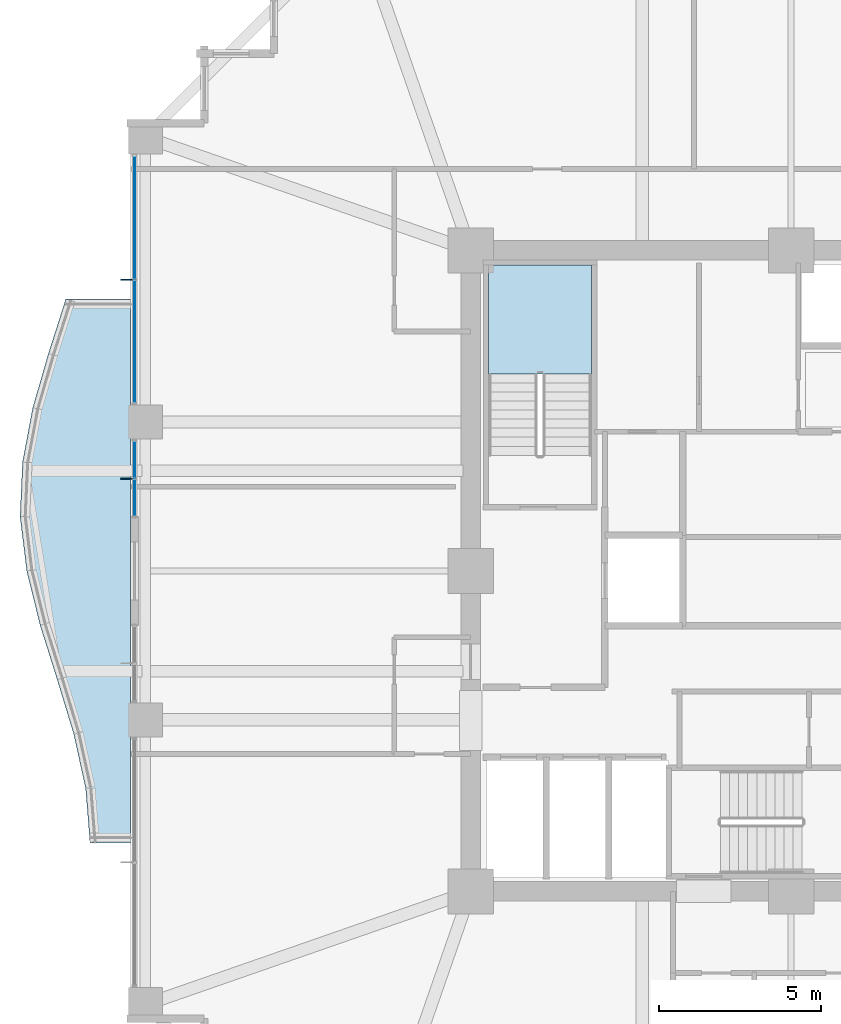
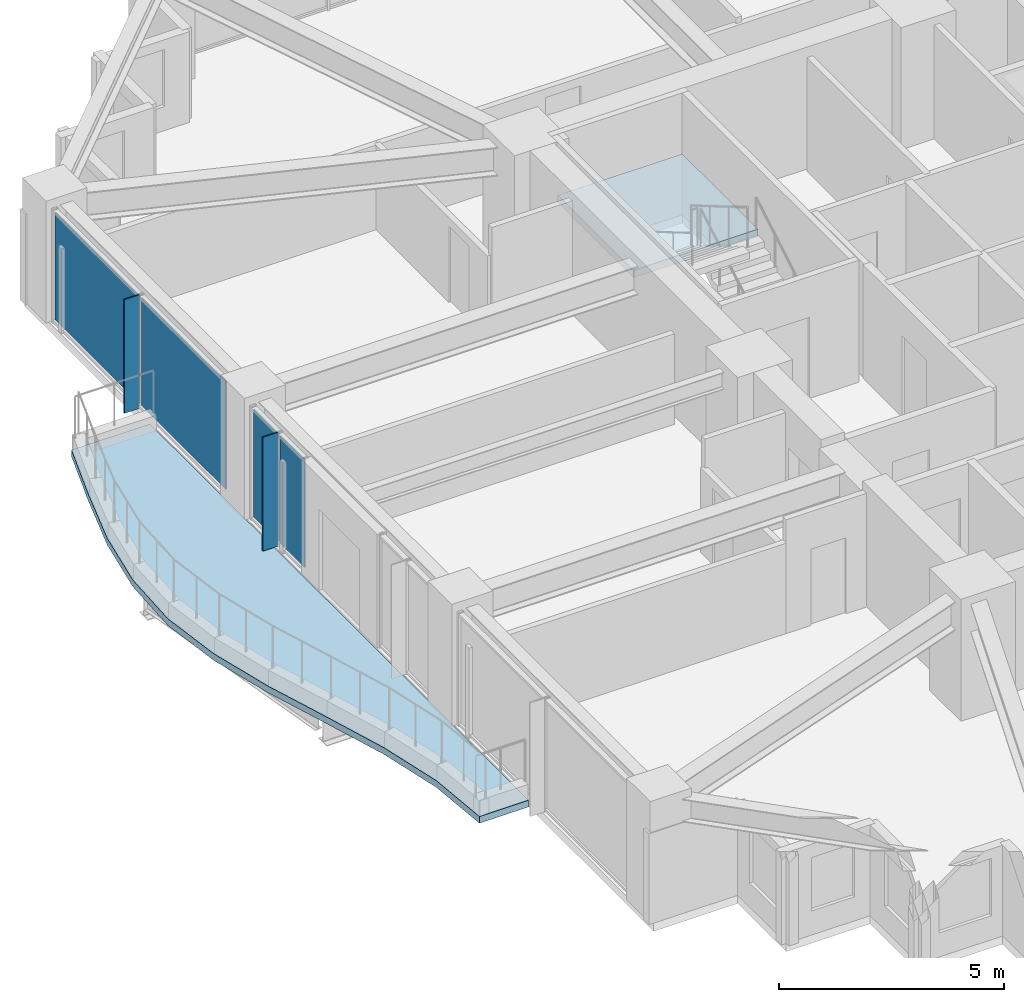
# One storey, part 26 of 36: 6 plates, 2 slabs, 3 elements without a shape of their own.
"""IFC4 building model written with IfcOpenShell, lengths in metres."""

from ifc_helpers import new_model, si_unit, direction, frame, origin, origin_2d, place, context, subcontext, project, spatial, polyline, rectangle, outline, extrude, material, layer, layer_set, type_object, element, aggregate, save


model = new_model("IFC4")

# Units and contexts
model_context = context("Model", 3, precision=1e-05, world=origin(), true_north=direction((0.0, 1.0)))
body_context = subcontext(model_context, "Body", "Model", "MODEL_VIEW")
ifc_project = project(units=[si_unit("LENGTHUNIT", "METRE"), si_unit("AREAUNIT", "SQUARE_METRE"), si_unit("VOLUMEUNIT", "CUBIC_METRE"), si_unit("PLANEANGLEUNIT", "RADIAN"), si_unit("MASSUNIT", "GRAM", prefix="KILO")], contexts=[model_context])

# Site, building, storey
site_placement = place(None, origin())
site = spatial("IfcSite", under=ifc_project, at=site_placement, CompositionType="ELEMENT")
building_placement = place(site_placement, origin())
building = spatial("IfcBuilding", under=site, at=building_placement, Name="Kolvaren Belvedere", CompositionType="ELEMENT")
storey_placement = place(building_placement, frame((0.0, 0.0, 88.699951171875)))
storey = spatial("IfcBuildingStorey", under=building, at=storey_placement, Name="L25", CompositionType="ELEMENT", Elevation=88.699951171875)

# Curtain wall, plates
ifc_material_1 = material(Name="Anodised pale-metal aluminium AA 6063-T6", Category="aluminium")
curtain_wall_type = type_object("IfcCurtainWallType", Name="CW-Z2-MID", PredefinedType="NOTDEFINED", material=ifc_material_1)
curtain_wall_1_placement = place(storey_placement, origin())
curtain_wall_1 = element("IfcCurtainWall", 1, at=curtain_wall_1_placement, inside=storey, type_object=curtain_wall_type, Name="L25 Unitised Curtain Wall FCW-L25-W2-B1", PredefinedType="NOTDEFINED")
ifc_material_2 = material(Name="Low-iron triple insulated glass", Category="glass")
ifc_layer_1 = layer(ifc_material_2, 0.028076171875)
ifc_layer_set_1 = layer_set([ifc_layer_1], Name="Low-iron triple insulated glass")
plate_type_1 = type_object("IfcPlateType", Name="CW-PNL-VIS28", PredefinedType="CURTAIN_PANEL", material=ifc_layer_set_1)
plate_1_placement = place(storey_placement, frame((-20.280029296875, 2.265625, 0.080078125), z_axis=(0.0, 0.0, 1.0), x_axis=(0.0, 1.0, 0.0)))
plate_1 = element("IfcPlate", 2, at=plate_1_placement, type_object=plate_type_1, Name="FCW-L25-W2-B1 Vision Glazing Panel 1", PredefinedType="CURTAIN_PANEL", context=body_context, shape_type="SweptSolid", body=[
    extrude(rectangle(XDim=1.09130859375, YDim=0.028076171875, at=origin_2d()), origin(), (0.0, 0.0, 1.0), 2.919921875),
])
plate_2_placement = place(storey_placement, frame((-20.280029296875, 3.43701171875, 0.080078125), z_axis=(0.0, 0.0, 1.0), x_axis=(0.0, 1.0, 0.0)))
plate_2 = element("IfcPlate", 3, at=plate_2_placement, type_object=plate_type_1, Name="FCW-L25-W2-B1 Vision Glazing Panel 2", PredefinedType="CURTAIN_PANEL", context=body_context, shape_type="SweptSolid", body=[
    extrude(rectangle(XDim=1.09130859375, YDim=0.028076171875, at=origin_2d()), origin(), (0.0, 0.0, 1.0), 2.919921875),
])
aggregate(curtain_wall_1, [plate_1, plate_2])

curtain_wall_2_placement = place(storey_placement, origin())
curtain_wall_2 = element("IfcCurtainWall", 4, at=curtain_wall_2_placement, inside=storey, type_object=curtain_wall_type, Name="L25 Unitised Curtain Wall FCW-L25-W2-B2", PredefinedType="NOTDEFINED")
plate_3_placement = place(storey_placement, frame((-20.280029296875, 7.0888671875, 0.080078125), z_axis=(0.0, 0.0, 1.0), x_axis=(0.0, 1.0, 0.0)))
plate_3 = element("IfcPlate", 5, at=plate_3_placement, type_object=plate_type_1, Name="FCW-L25-W2-B2 Vision Glazing Panel 1", PredefinedType="CURTAIN_PANEL", context=body_context, shape_type="SweptSolid", body=[
    extrude(rectangle(XDim=3.742431640625, YDim=0.028076171875, at=origin_2d()), origin(), (0.0, 0.0, 1.0), 2.919921875),
])
plate_4_placement = place(storey_placement, frame((-20.280029296875, 10.9111328125, 0.080078125), z_axis=(0.0, 0.0, 1.0), x_axis=(0.0, 1.0, 0.0)))
plate_4 = element("IfcPlate", 6, at=plate_4_placement, type_object=plate_type_1, Name="FCW-L25-W2-B2 Vision Glazing Panel 2", PredefinedType="CURTAIN_PANEL", context=body_context, shape_type="SweptSolid", body=[
    extrude(rectangle(XDim=3.742431640625, YDim=0.028076171875, at=origin_2d()), origin(), (0.0, 0.0, 1.0), 2.919921875),
])
aggregate(curtain_wall_2, [plate_3, plate_4])

# Plates
ifc_material_3 = material(Name="Anodised pale-metal aluminium AA 6063-T6", Category="aluminium")
ifc_layer_2 = layer(ifc_material_3, 0.033935546875)
ifc_layer_set_2 = layer_set([ifc_layer_2], Name="Anodised pale-metal aluminium AA 6063-T6")
plate_type_2 = type_object("IfcPlateType", Name="FIN-VERT-380", PredefinedType="USERDEFINED", material=ifc_layer_set_2)
for number, where, z_axis, x_axis, name in (
    (7, (-20.52490234375, 2.851318359375, 0.0), (0.0, 0.0, 1.0), (1.0, 0.0, 0.0), "L25 Pale-Metal Vertical Shading Fin FCW-L25-W2-B1-1"),
    (8, (-20.52490234375, 9.0, 0.0), (0.0, 0.0, 1.0), (1.0, 0.0, 0.0), "L25 Pale-Metal Vertical Shading Fin FCW-L25-W2-B2-1"),
):
    element("IfcPlate", number, at=place(storey_placement, frame(where, z_axis=z_axis, x_axis=x_axis)), inside=storey, type_object=plate_type_2, Name=name, ObjectType="VERTICAL FIN", PredefinedType="USERDEFINED", context=body_context, shape_type="SweptSolid", body=[
        extrude(rectangle(XDim=0.3798828125, YDim=0.033935546875, at=origin_2d()), origin(), (0.0, 0.0, 1.0), 3.080078125),
    ])

# Slab
ifc_material_4 = material(Name="Concrete C50/60", Category="concrete")
ifc_layer_3 = layer(ifc_material_4, 0.179931640625)
ifc_layer_set_3 = layer_set([ifc_layer_3], Name="Concrete C50/60")
slab_type_1 = type_object("IfcSlabType", Name="SL-BAL-180", PredefinedType="FLOOR", material=ifc_layer_set_3)
slab_1_placement = place(storey_placement, frame((0.0, 0.0, -0.219970703125)))
element("IfcSlab", 9, at=slab_1_placement, inside=storey, type_object=slab_type_1, Name="L25 Planted Balcony BAL-W", PredefinedType="FLOOR", context=body_context, shape_type="SweptSolid", body=[
    extrude(outline(polyline([(-22.40625, 8.39990234375), (-22.9423828125, 6.719970703125), (-23.428466796875, 5.0400390625), (-23.744140625, 3.360107421875), (-23.820068359375, 1.679931640625), (-23.61376953125, 0.0), (-23.19970703125, -1.679931640625), (-22.672119140625, -3.360107421875), (-22.161376953125, -5.0400390625), (-21.793701171875, -6.719970703125), (-21.659912109375, -8.39990234375), (-20.39990234375, -8.39990234375), (-20.39990234375, -6.719970703125), (-20.39990234375, -5.0400390625), (-20.39990234375, -3.360107421875), (-20.39990234375, -1.679931640625), (-20.39990234375, 0.0), (-20.39990234375, 1.679931640625), (-20.39990234375, 3.360107421875), (-20.39990234375, 5.0400390625), (-20.39990234375, 6.719970703125), (-20.39990234375, 8.39990234375), (-22.40625, 8.39990234375)])), origin(), (0.0, 0.0, 1.0), 0.179931640625),
])

# Stair, slab
ifc_material_5 = material(Name="Concrete C50/60", Category="concrete")
stair_type = type_object("IfcStairType", Name="ST-CORE-1520", PredefinedType="HALF_TURN_STAIR", material=ifc_material_5)
stair_placement = place(storey_placement, origin())
stair = element("IfcStair", 10, at=stair_placement, inside=storey, type_object=stair_type, Name="L25 Protected Exit Stair ST-1", PredefinedType="HALF_TURN_STAIR")
ifc_material_6 = material(Name="Concrete C50/60", Category="concrete")
ifc_layer_4 = layer(ifc_material_6, 0.260009765625)
ifc_layer_set_4 = layer_set([ifc_layer_4], Name="Concrete C50/60")
slab_type_2 = type_object("IfcSlabType", Name="SL-LAND-260", PredefinedType="LANDING", material=ifc_layer_set_4)
slab_2_placement = place(storey_placement, frame((0.0, 0.0, 1.449951171875)))
slab_2 = element("IfcSlab", 11, at=slab_2_placement, type_object=slab_type_2, Name="ST-1 landing 1", PredefinedType="LANDING", context=body_context, shape_type="SweptSolid", body=[
    extrude(outline(polyline([(-6.159912109375, 6.090087890625), (-6.159912109375, 9.449951171875), (-9.35009765625, 9.449951171875), (-9.35009765625, 6.090087890625), (-6.159912109375, 6.090087890625)])), origin(), (0.0, 0.0, 1.0), 0.2001953125),
])
aggregate(stair, [slab_2])

save(model, "model.ifc")
